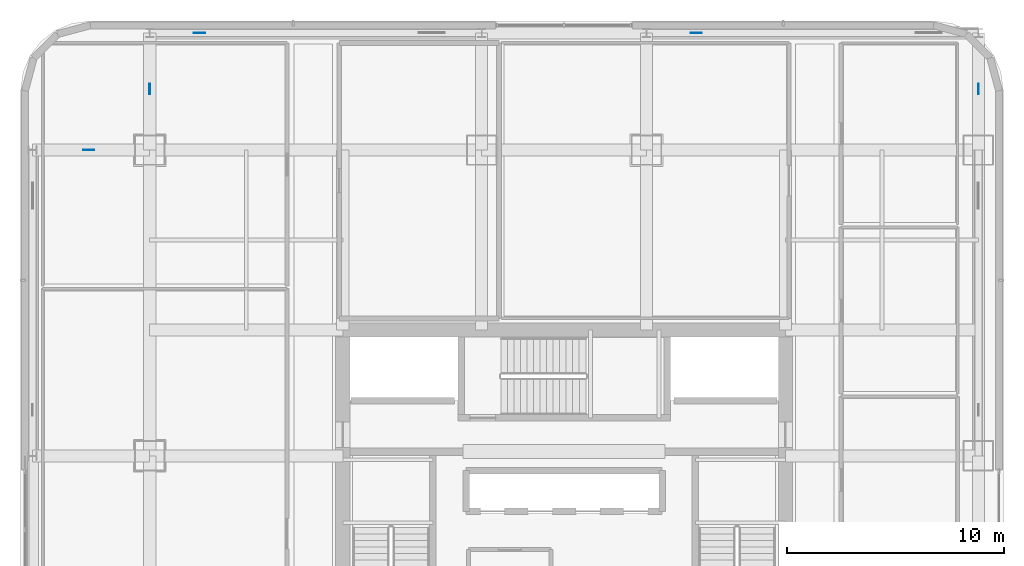
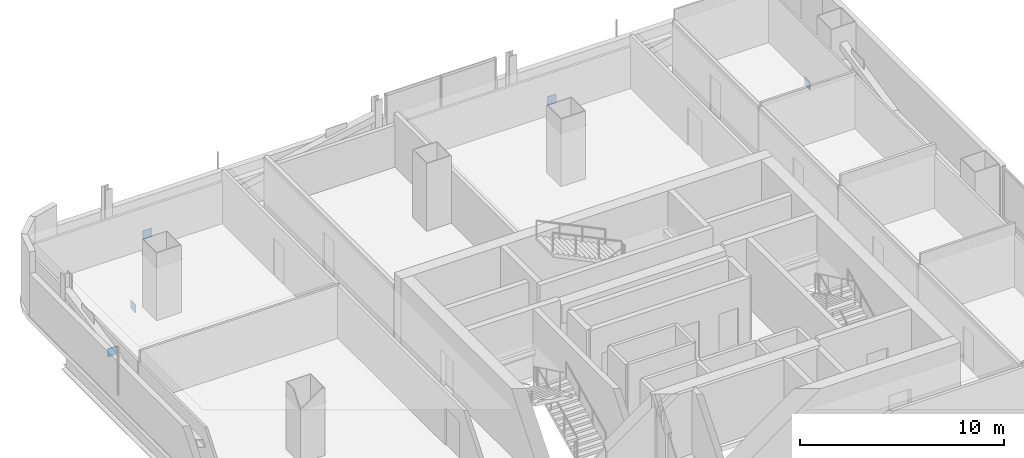
# One storey, part 12 of 32: 5 plates.
"""IFC4 building model written with IfcOpenShell, lengths in metres."""

from ifc_helpers import new_model, si_unit, direction, frame, origin, origin_2d, place, context, subcontext, project, spatial, rectangle, extrude, material, layer, layer_set, type_object, element, save


model = new_model("IFC4")

# Units and contexts
model_context = context("Model", 3, precision=1e-05, world=origin(), true_north=direction((0.0, 1.0)))
body_context = subcontext(model_context, "Body", "Model", "MODEL_VIEW")
ifc_project = project(units=[si_unit("LENGTHUNIT", "METRE"), si_unit("AREAUNIT", "SQUARE_METRE"), si_unit("VOLUMEUNIT", "CUBIC_METRE"), si_unit("PLANEANGLEUNIT", "RADIAN"), si_unit("MASSUNIT", "GRAM", prefix="KILO")], contexts=[model_context])

# Site, building, storey
site_placement = place(None, origin())
site = spatial("IfcSite", under=ifc_project, at=site_placement, CompositionType="ELEMENT")
building_placement = place(site_placement, origin())
building = spatial("IfcBuilding", under=site, at=building_placement, Name="Punatoya Terracotta Tower", CompositionType="ELEMENT")
storey_placement = place(building_placement, frame((0.0, 0.0, 139.800048828125)))
storey = spatial("IfcBuildingStorey", under=building, at=storey_placement, Name="L32", CompositionType="ELEMENT", Elevation=139.800048828125)

# Plates
ifc_material = material(Name="Steel S460", Category="steel")
ifc_layer = layer(ifc_material, 0.031982421875)
ifc_layer_set = layer_set([ifc_layer], Name="Steel S460")
plate_type = type_object("IfcPlateType", Name="PLT-END-32", PredefinedType="USERDEFINED", material=ifc_layer_set)
for number, where, z_axis, x_axis, name in (
    (1, (-16.804931640625, 22.89990234375, 0.21142578125), (0.0, 0.0, 1.0), (1.0, 0.0, 0.0), "L32 Exoskeleton Base Node Plate N1"),
    (2, (6.094970703125, 22.89990234375, 0.21142578125), (0.0, 0.0, 1.0), (1.0, 0.0, 0.0), "L32 Exoskeleton Base Node Plate N3"),
):
    element("IfcPlate", number, at=place(storey_placement, frame(where, z_axis=z_axis, x_axis=x_axis)), inside=storey, type_object=plate_type, Name=name, ObjectType="FLANGE_PLATE", PredefinedType="USERDEFINED", context=body_context, shape_type="SweptSolid", body=[
        extrude(rectangle(XDim=0.52001953125, YDim=0.031982421875, at=origin_2d()), origin(), (0.0, 0.0, 1.0), 0.52001953125),
    ])
for number, where, z_axis, x_axis, name in (
    (3, (-21.916015625, 17.5, -1.774169921875), (0.0, 0.0, 1.0), (1.0, 0.0, 0.0), "L32 Knee-Strut Upper End Cap Plate W2"),
    (4, (-19.10009765625, 20.31591796875, -1.774169921875), (0.0, 0.0, 1.0), (0.0, 1.0, 0.0), "L32 Knee-Strut Upper End Cap Plate N1"),
    (5, (19.10009765625, 20.31591796875, -1.774169921875), (0.0, 0.0, 1.0), (0.0, 1.0, 0.0), "L32 Knee-Strut Upper End Cap Plate N2"),
):
    element("IfcPlate", number, at=place(storey_placement, frame(where, z_axis=z_axis, x_axis=x_axis)), inside=storey, type_object=plate_type, Name=name, ObjectType="FLANGE_PLATE", PredefinedType="USERDEFINED", context=body_context, shape_type="SweptSolid", body=[
        extrude(rectangle(XDim=0.5, YDim=0.031982421875, at=origin_2d()), origin(), (0.0, 0.0, 1.0), 0.5),
    ])

save(model, "model.ifc")
